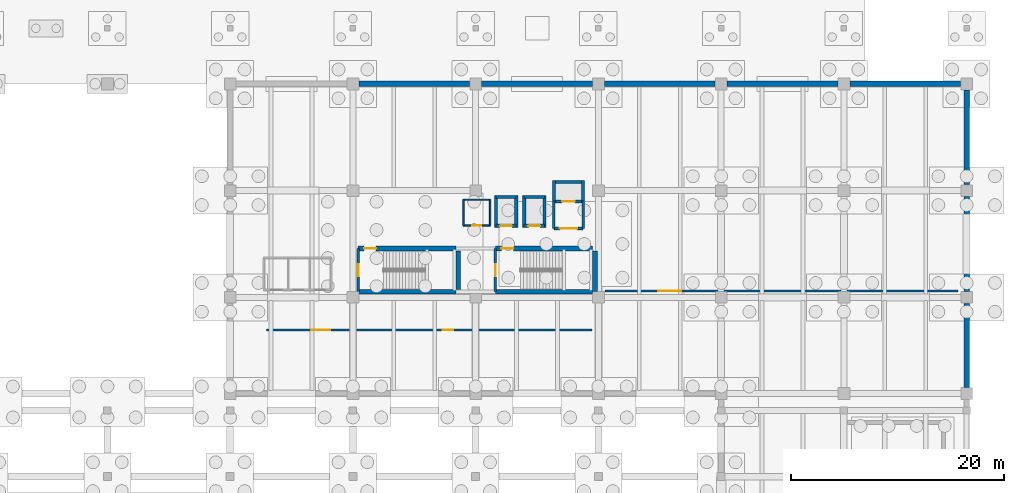
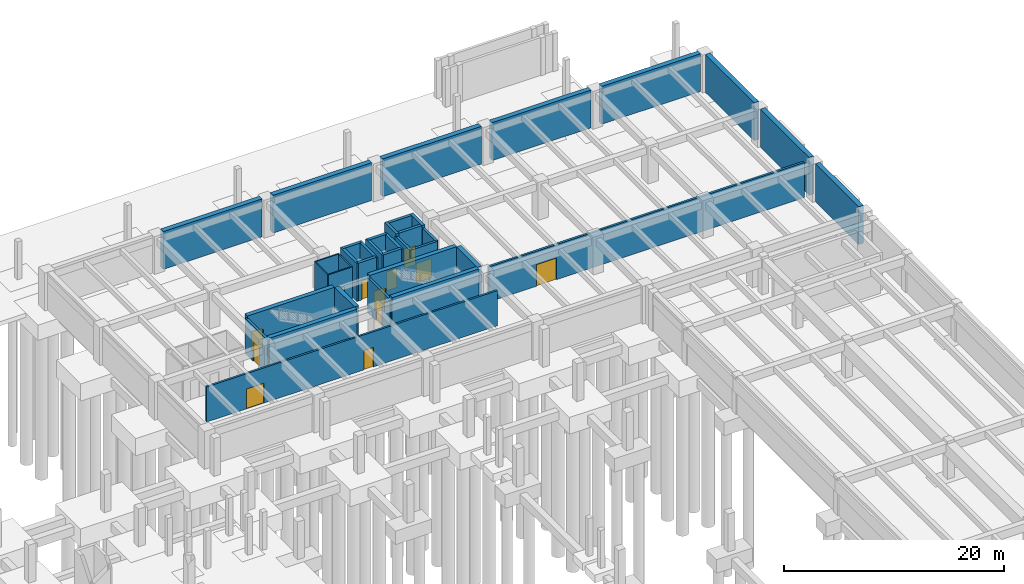
# One storey, part 23 of 28: 37 walls, 12 doors, 12 openings.
"""IFC4 building model written with IfcOpenShell, lengths in metres."""

import ifcopenshell
import ifcopenshell.guid

model = None  # the IFC model being written
_history = None  # IfcOwnerHistory: only IFC2X3 demands one
_inside = {}  # id of a spatial element -> (the spatial element, [elements in it])
_under = {}  # id of a project, library or spatial element -> (it, [spatial elements below it])
_declared = {}  # id of a project -> (the project, [libraries it declares])
_typed = {}  # id of a type object -> (the type object, [elements of that type])
_made_of = {}  # id of a material, layer set ... -> (it, [elements and type objects made of it])


def new_model(schema):
    """Start an empty IFC model of exactly this schema.

    Asked for "IFC4X3", IfcOpenShell would pick the latest addendum, in which some entities
    have other attributes; the version numbers below select the first issue.
    IFC2X3 requires an IfcOwnerHistory on every rooted entity: one is made here for all.
    """
    global model, _history
    if schema == "IFC4X3":
        model = ifcopenshell.file(schema_version=(4, 3, 0, 0))
    else:
        model = ifcopenshell.file(schema=schema)
    _inside.clear()
    _under.clear()
    _declared.clear()
    _typed.clear()
    _made_of.clear()
    _history = None
    if model.schema == "IFC2X3":
        org = make("IfcOrganization", Name="unknown")
        user = make(
            "IfcPersonAndOrganization",
            ThePerson=make("IfcPerson", FamilyName="unknown"),
            TheOrganization=org,
        )
        app = make(
            "IfcApplication",
            ApplicationDeveloper=org,
            Version="unknown",
            ApplicationFullName="unknown",
            ApplicationIdentifier="unknown",
        )
        _history = make(
            "IfcOwnerHistory",
            OwningUser=user,
            OwningApplication=app,
            ChangeAction="ADDED",
            CreationDate=0,
        )
    return model


def make(cls, **values):
    """One entity of the class cls with the attributes given. An attribute that is None is left unset."""
    return model.create_entity(
        cls, **{name: value for name, value in values.items() if value is not None}
    )


def rooted(cls, **values):
    """An entity with a GlobalId (a new one), such as an element, a storey or a relation."""
    return make(cls, GlobalId=ifcopenshell.guid.new(), OwnerHistory=_history, **values)


def si_unit(unit_type, name, prefix=None):
    """IfcSIUnit, for example si_unit("LENGTHUNIT", "METRE", prefix="MILLI")."""
    return make("IfcSIUnit", UnitType=unit_type, Prefix=prefix, Name=name)


def assignment(units):
    """IfcUnitAssignment: the units of a project."""
    return None if units is None else make("IfcUnitAssignment", Units=units)


def point(xyz):
    """IfcCartesianPoint."""
    return None if xyz is None else make("IfcCartesianPoint", Coordinates=xyz)


def direction(xyz):
    """IfcDirection."""
    return None if xyz is None else make("IfcDirection", DirectionRatios=xyz)


def frame(location, z_axis=None, x_axis=None):
    """IfcAxis2Placement3D, a coordinate frame: its origin and axes. An axis left out is left unset."""
    return make(
        "IfcAxis2Placement3D",
        Location=point(location),
        Axis=direction(z_axis),
        RefDirection=direction(x_axis),
    )


def frame_2d(location, x_axis=None):
    """IfcAxis2Placement2D, a coordinate frame in the plane: its origin and x axis."""
    return make(
        "IfcAxis2Placement2D", Location=point(location), RefDirection=direction(x_axis)
    )


def origin():
    """The frame at (0, 0, 0) with its axes left unset."""
    return frame((0.0, 0.0, 0.0))


def place(relative_to, where):
    """IfcLocalPlacement: puts the frame where relative to a parent placement (None: the world)."""
    return make(
        "IfcLocalPlacement", PlacementRelTo=relative_to, RelativePlacement=where
    )


def context(
    kind, dimensions, precision=None, world=None, true_north=None, identifier=None
):
    """IfcGeometricRepresentationContext, for example the 3D "Model" context."""
    return make(
        "IfcGeometricRepresentationContext",
        ContextIdentifier=identifier,
        ContextType=kind,
        CoordinateSpaceDimension=dimensions,
        Precision=precision,
        WorldCoordinateSystem=world,
        TrueNorth=true_north,
    )


def subcontext(parent, identifier, kind, view, scale=None):
    """IfcGeometricRepresentationSubContext, for example "Body" below "Model"."""
    return make(
        "IfcGeometricRepresentationSubContext",
        ContextIdentifier=identifier,
        ContextType=kind,
        ParentContext=parent,
        TargetScale=scale,
        TargetView=view,
    )


def project(units=None, contexts=None):
    """IfcProject with its units and contexts."""
    return rooted(
        "IfcProject",
        Name="project",
        RepresentationContexts=contexts,
        UnitsInContext=assignment(units),
    )


def spatial(cls, under=None, at=None, **own):
    """A site, building, storey or space (cls), placed at a placement, below another one or the project."""
    s = rooted(cls, ObjectPlacement=at, **own)
    if under is not None:
        _under.setdefault(under.id(), (under, []))[1].append(s)
    return s


def profile(cls, at=None, kind="AREA", **sizes):
    """A parametric profile (cls). Its sizes go by their IFC names, for example OverallWidth=200.0."""
    return make(cls, ProfileType=kind, Position=at, **sizes)


def rectangle(**sizes):
    """IfcRectangleProfileDef."""
    return profile("IfcRectangleProfileDef", **sizes)


def extrude(swept, where, along, depth):
    """IfcExtrudedAreaSolid: the profile swept, set in the frame where, extruded along a direction by depth."""
    return make(
        "IfcExtrudedAreaSolid",
        SweptArea=swept,
        Position=where,
        ExtrudedDirection=direction(along),
        Depth=depth,
    )


def shape(context_of_items, identifier, shape_type, items):
    """IfcShapeRepresentation: the items that make up one representation, for example the "Body"."""
    return make(
        "IfcShapeRepresentation",
        ContextOfItems=context_of_items,
        RepresentationIdentifier=identifier,
        RepresentationType=shape_type,
        Items=items,
    )


def material(Name=None, Category=None):
    """IfcMaterial."""
    return make("IfcMaterial", Name=Name, Category=Category)


def layer(
    of_material, thickness, ventilated=None, Name=None, Category=None, Priority=None
):
    """IfcMaterialLayer: one layer of a wall or slab, of a material (None: an air gap)."""
    return make(
        "IfcMaterialLayer",
        Material=of_material,
        LayerThickness=thickness,
        IsVentilated=ventilated,
        Name=Name,
        Category=Category,
        Priority=Priority,
    )


def layer_set(layers, Name=None):
    """IfcMaterialLayerSet."""
    return make("IfcMaterialLayerSet", MaterialLayers=layers, LayerSetName=Name)


def made_of(thing, what):
    """Note that an element or type object is made of a material, layer set ...; save() writes the relation."""
    if what is not None:
        _made_of.setdefault(what.id(), (what, []))[1].append(thing)
    return thing


def type_object(cls, material=None, **own):
    """A type object (cls), such as IfcWallType, which elements share."""
    return made_of(rooted(cls, **own), material)


def element(
    cls,
    number,
    at=None,
    inside=None,
    cuts=None,
    type_object=None,
    material=None,
    context=None,
    identifier="Body",
    shape_type=None,
    held_by="IfcProductDefinitionShape",
    body=None,
    shapes=None,
    **own,
):
    """One element of the class cls, such as IfcWall. Its Tag is "e" and its number.

    at: its placement. inside: the storey or other place that contains it. cuts: it is an
    opening in that element (IfcRelVoidsElement). A single representation is given by context,
    identifier, shape_type and body (its items); several are given by shapes. held_by: the class
    of the entity that holds the representations. save() writes the other relations.
    """
    e = rooted(cls, Tag="e%d" % number, ObjectPlacement=at, **own)
    if body is not None:
        shapes = [shape(context, identifier, shape_type, body)]
    if shapes is not None:
        e.Representation = make(held_by, Representations=shapes)
    if inside is not None:
        _inside.setdefault(inside.id(), (inside, []))[1].append(e)
    if cuts is not None:
        rooted(
            "IfcRelVoidsElement", RelatingBuildingElement=cuts, RelatedOpeningElement=e
        )
    if type_object is not None:
        _typed.setdefault(type_object.id(), (type_object, []))[1].append(e)
    return made_of(e, material)


def fill(opening, filler):
    """IfcRelFillsElement: the door or window that sits in an opening."""
    return rooted(
        "IfcRelFillsElement",
        RelatingOpeningElement=opening,
        RelatedBuildingElement=filler,
    )


def aggregate(whole, parts):
    """IfcRelAggregates: a whole, such as a stair, and the parts it consists of."""
    return rooted("IfcRelAggregates", RelatingObject=whole, RelatedObjects=parts)


def save(model, path):
    """Write the relations noted so far, then the file.

    IfcRelAggregates (storeys below a building ...), IfcRelContainedInSpatialStructure (elements
    in a storey), IfcRelDefinesByType, IfcRelAssociatesMaterial and IfcRelDeclares: one each for
    every whole, place, type object, material and project.
    """
    for whole, parts in _under.values():
        aggregate(whole, parts)
    for where, things in _inside.values():
        rooted(
            "IfcRelContainedInSpatialStructure",
            RelatedElements=things,
            RelatingStructure=where,
        )
    for kind, things in _typed.values():
        rooted("IfcRelDefinesByType", RelatedObjects=things, RelatingType=kind)
    for what, things in _made_of.values():
        rooted("IfcRelAssociatesMaterial", RelatedObjects=things, RelatingMaterial=what)
    for by, libraries in _declared.values():
        rooted("IfcRelDeclares", RelatingContext=by, RelatedDefinitions=libraries)
    model.write(path)


model = new_model("IFC4")

# Units and contexts
model_context = context("Model", 3, precision=1e-05, world=origin(), true_north=direction((0.0, 1.0)))
body_context = subcontext(model_context, "Body", "Model", "MODEL_VIEW")
ifc_project = project(units=[si_unit("LENGTHUNIT", "METRE"), si_unit("AREAUNIT", "SQUARE_METRE"), si_unit("VOLUMEUNIT", "CUBIC_METRE"), si_unit("PLANEANGLEUNIT", "RADIAN"), si_unit("MASSUNIT", "GRAM", prefix="KILO")], contexts=[model_context])

# Site, building, storey
site_placement = place(None, origin())
site = spatial("IfcSite", under=ifc_project, at=site_placement, CompositionType="ELEMENT")
building_placement = place(site_placement, origin())
building = spatial("IfcBuilding", under=site, at=building_placement, Name="Ologun Quay Terminus", CompositionType="ELEMENT")
storey_placement = place(building_placement, frame((0.0, 0.0, -8.39990234375)))
storey = spatial("IfcBuildingStorey", under=building, at=storey_placement, Name="B02", CompositionType="ELEMENT", Elevation=-8.39990234375)

# Walls
ifc_material_1 = material(Name="Concrete C35/45", Category="concrete")
ifc_layer_1 = layer(ifc_material_1, 0.5)
ifc_layer_set_1 = layer_set([ifc_layer_1], Name="Concrete C35/45")
wall_type_1 = type_object("IfcWallType", Name="Basement Perimeter Retaining Wall 500", PredefinedType="SHEAR", material=ifc_layer_set_1)
wall_1_placement = place(storey_placement, frame((184.0, 86.3701171875, 0.0), z_axis=(0.0, 0.0, 1.0), x_axis=(0.0, 1.0, 0.0)))
element("IfcWall", 1, at=wall_1_placement, inside=storey, type_object=wall_type_1, Name="Retaining Wall EG-Y6 B02", PredefinedType="SHEAR", context=body_context, shape_type="SweptSolid", body=[
    extrude(rectangle(XDim=7.85986328125, YDim=0.5, at=frame_2d((3.929931640625, 0.0))), origin(), (0.0, 0.0, 1.0), 4.199951171875),
])
for number, where, z_axis, x_axis, name in (
    (2, (184.0, 95.3701171875, 0.0), (0.0, 0.0, 1.0), (0.0, 1.0, 0.0), "Retaining Wall EG-Y7 B02"),
    (3, (184.0, 105.3701171875, 0.0), (0.0, 0.0, 1.0), (0.0, 1.0, 0.0), "Retaining Wall EG-Y8 B02"),
):
    element("IfcWall", number, at=place(storey_placement, frame(where, z_axis=z_axis, x_axis=x_axis)), inside=storey, type_object=wall_type_1, Name=name, PredefinedType="SHEAR", context=body_context, shape_type="SweptSolid", body=[
        extrude(rectangle(XDim=8.85986328125, YDim=0.5, at=frame_2d((4.429931640625, 0.0))), origin(), (0.0, 0.0, 1.0), 4.199951171875),
    ])
for number, where, z_axis, x_axis, name in (
    (4, (127.070068359375, 114.800048828125, 0.0), (0.0, 0.0, 1.0), (1.0, 0.0, 0.0), "Retaining Wall NE-12 B02"),
    (5, (138.570068359375, 114.800048828125, 0.0), (0.0, 0.0, 1.0), (1.0, 0.0, 0.0), "Retaining Wall NE-13 B02"),
    (6, (150.070068359375, 114.800048828125, 0.0), (0.0, 0.0, 1.0), (1.0, 0.0, 0.0), "Retaining Wall NE-14 B02"),
    (7, (161.570068359375, 114.800048828125, 0.0), (0.0, 0.0, 1.0), (1.0, 0.0, 0.0), "Retaining Wall NE-15 B02"),
    (8, (173.070068359375, 114.800048828125, 0.0), (0.0, 0.0, 1.0), (1.0, 0.0, 0.0), "Retaining Wall NE-16 B02"),
):
    element("IfcWall", number, at=place(storey_placement, frame(where, z_axis=z_axis, x_axis=x_axis)), inside=storey, type_object=wall_type_1, Name=name, PredefinedType="SHEAR", context=body_context, shape_type="SweptSolid", body=[
        extrude(rectangle(XDim=10.35986328125, YDim=0.5, at=frame_2d((5.179931640625, 0.0))), origin(), (0.0, 0.0, 1.0), 4.199951171875),
    ])

# Wall, openings, doors
ifc_material_2 = material(Name="Concrete C40/50", Category="concrete")
ifc_layer_2 = layer(ifc_material_2, 0.199951171875)
ifc_layer_set_2 = layer_set([ifc_layer_2], Name="Concrete C40/50")
wall_type_2 = type_object("IfcWallType", Name="Corridor Fire-Rated Partition 200", PredefinedType="PARTITIONING", material=ifc_layer_set_2)
wall_2_placement = place(storey_placement, frame((118.39990234375, 91.75, 0.0), z_axis=(0.0, 0.0, 1.0), x_axis=(1.0, 0.0, 0.0)))
wall_2 = element("IfcWall", 9, at=wall_2_placement, inside=storey, type_object=wall_type_2, Name="PW-02 Partition ECor-S", PredefinedType="PARTITIONING", context=body_context, shape_type="SweptSolid", body=[
    extrude(rectangle(XDim=30.5, YDim=0.199951171875, at=frame_2d((15.25, 0.0))), origin(), (0.0, 0.0, 1.0), 3.89990234375),
])
opening_1_placement = place(wall_2_placement, frame((4.199951171875, 0.0, 0.0)))
opening_1 = element("IfcOpeningElement", 10, at=opening_1_placement, cuts=wall_2, Name="Opening ID-152", PredefinedType="OPENING", context=body_context, shape_type="SweptSolid", body=[
    extrude(rectangle(XDim=1.800048828125, YDim=2.199951171875, at=frame_2d((0.89990234375, 1.10009765625))), frame((0.0, 0.10986328125, 0.0), z_axis=(0.0, -1.0, 0.0), x_axis=(1.0, 0.0, 0.0)), (0.0, 0.0, 1.0), 0.219970703125),
])
opening_2_placement = place(wall_2_placement, frame((16.5, 0.0, 0.0)))
opening_2 = element("IfcOpeningElement", 11, at=opening_2_placement, cuts=wall_2, Name="Opening ID-153", PredefinedType="OPENING", context=body_context, shape_type="SweptSolid", body=[
    extrude(rectangle(XDim=0.97998046875, YDim=2.14990234375, at=frame_2d((0.489990234375, 1.074951171875))), frame((0.0, 0.10986328125, 0.0), z_axis=(0.0, -1.0, 0.0), x_axis=(1.0, 0.0, 0.0)), (0.0, 0.0, 1.0), 0.219970703125),
])
ifc_material_3 = material(Name="Steel S355", Category="steel")
door_type_1 = type_object("IfcDoorType", Name="Corridor Compartment Pair 1800x2200", OperationType="DOUBLE_DOOR_SINGLE_SWING", PredefinedType="DOOR", material=ifc_material_3)
door_1_placement = place(opening_1_placement, origin())
door_1 = element("IfcDoor", 12, at=door_1_placement, inside=storey, type_object=door_type_1, Name="FD-03 Door ID-152", OperationType="DOUBLE_DOOR_SINGLE_SWING", OverallHeight=2.199951171875, OverallWidth=1.800048828125, PredefinedType="DOOR", context=body_context, shape_type="SweptSolid", body=[
    extrude(rectangle(XDim=1.800048828125, YDim=2.199951171875, at=frame_2d((0.89990234375, 1.10009765625))), frame((0.0, 0.02490234375, 0.0), z_axis=(0.0, -1.0, 0.0), x_axis=(1.0, 0.0, 0.0)), (0.0, 0.0, 1.0), 0.050048828125),
])
fill(opening_1, door_1)
ifc_material_4 = material(Name="Timber Hardwood", Category="wood")
door_type_2 = type_object("IfcDoorType", Name="Operations Room Acoustic Leaf 980x2150", OperationType="SINGLE_SWING_LEFT", PredefinedType="DOOR", material=ifc_material_4)
door_2_placement = place(opening_2_placement, origin())
door_2 = element("IfcDoor", 13, at=door_2_placement, inside=storey, type_object=door_type_2, Name="ID-01 Door ID-153", OperationType="SINGLE_SWING_LEFT", OverallHeight=2.14990234375, OverallWidth=0.97998046875, PredefinedType="DOOR", context=body_context, shape_type="SweptSolid", body=[
    extrude(rectangle(XDim=0.97998046875, YDim=2.14990234375, at=frame_2d((0.489990234375, 1.074951171875))), frame((0.0, 0.02490234375, 0.0), z_axis=(0.0, -1.0, 0.0), x_axis=(1.0, 0.0, 0.0)), (0.0, 0.0, 1.0), 0.050048828125),
])
fill(opening_2, door_2)

# Wall
ifc_material_5 = material(Name="Concrete C45/55", Category="concrete")
ifc_layer_3 = layer(ifc_material_5, 0.449951171875)
ifc_layer_set_3 = layer_set([ifc_layer_3], Name="Concrete C45/55")
wall_type_3 = type_object("IfcWallType", Name="Coupled Wing Primary Core Shear Wall 450", PredefinedType="SHEAR", material=ifc_layer_set_3)
wall_3_placement = place(storey_placement, frame((127.0, 95.324951171875, 0.0), z_axis=(0.0, 0.0, 1.0), x_axis=(1.0, 0.0, 0.0)))
element("IfcWall", 14, at=wall_3_placement, inside=storey, type_object=wall_type_3, Name="EC1 Core South Shear Wall B02", PredefinedType="SHEAR", context=body_context, shape_type="SweptSolid", body=[
    extrude(rectangle(XDim=9.14990234375, YDim=0.449951171875, at=frame_2d((4.574951171875, 0.0))), origin(), (0.0, 0.0, 1.0), 4.199951171875),
])

# Wall, opening, door
wall_4_placement = place(storey_placement, frame((127.0, 99.375, 0.0), z_axis=(0.0, 0.0, 1.0), x_axis=(1.0, 0.0, 0.0)))
wall_4 = element("IfcWall", 15, at=wall_4_placement, inside=storey, type_object=wall_type_3, Name="EC1 Core North Shear Wall B02", PredefinedType="SHEAR", context=body_context, shape_type="SweptSolid", body=[
    extrude(rectangle(XDim=9.14990234375, YDim=0.449951171875, at=frame_2d((4.574951171875, 0.0))), origin(), (0.0, 0.0, 1.0), 4.199951171875),
])
opening_3_placement = place(wall_4_placement, frame((0.550048828125, 0.0, 0.0)))
opening_3 = element("IfcOpeningElement", 16, at=opening_3_placement, cuts=wall_4, Name="Opening ID-144", PredefinedType="OPENING", context=body_context, shape_type="SweptSolid", body=[
    extrude(rectangle(XDim=1.1298828125, YDim=2.14990234375, at=frame_2d((0.56494140625, 1.074951171875))), frame((0.0, 0.23486328125, 0.0), z_axis=(0.0, -1.0, 0.0), x_axis=(1.0, 0.0, 0.0)), (0.0, 0.0, 1.0), 0.469970703125),
])
ifc_material_6 = material(Name="Steel S355", Category="steel")
door_type_3 = type_object("IfcDoorType", Name="Stairwell Fire Escape Door 1130x2150", OperationType="SINGLE_SWING_LEFT", PredefinedType="DOOR", material=ifc_material_6)
door_3_placement = place(opening_3_placement, frame((0.56494140625, 0.0, 0.0), z_axis=(0.0, 0.0, 1.0), x_axis=(-1.0, 0.0, 0.0)))
door_3 = element("IfcDoor", 17, at=door_3_placement, inside=storey, type_object=door_type_3, Name="FD-01 Door ID-144", OperationType="SINGLE_SWING_LEFT", OverallHeight=2.14990234375, OverallWidth=1.1298828125, PredefinedType="DOOR", context=body_context, shape_type="SweptSolid", body=[
    extrude(rectangle(XDim=1.1298828125, YDim=2.14990234375, at=frame_2d((0.0, 1.074951171875))), frame((0.0, 0.02490234375, 0.0), z_axis=(0.0, -1.0, 0.0), x_axis=(1.0, 0.0, 0.0)), (0.0, 0.0, 1.0), 0.050048828125),
])
fill(opening_3, door_3)

# Walls
wall_5_placement = place(storey_placement, frame((136.375, 95.550048828125, 0.0), z_axis=(0.0, 0.0, 1.0), x_axis=(0.0, 1.0, 0.0)))
element("IfcWall", 18, at=wall_5_placement, inside=storey, type_object=wall_type_3, Name="EC1 Core East Shear Wall B02", PredefinedType="SHEAR", context=body_context, shape_type="SweptSolid", body=[
    extrude(rectangle(XDim=3.599853515625, YDim=0.449951171875, at=frame_2d((1.7998046875, 0.0))), origin(), (0.0, 0.0, 1.0), 4.199951171875),
])
wall_6_placement = place(storey_placement, frame((139.85009765625, 95.324951171875, 0.0), z_axis=(0.0, 0.0, 1.0), x_axis=(1.0, 0.0, 0.0)))
element("IfcWall", 19, at=wall_6_placement, inside=storey, type_object=wall_type_3, Name="EC2 Core South Shear Wall B02", PredefinedType="SHEAR", context=body_context, shape_type="SweptSolid", body=[
    extrude(rectangle(XDim=9.099853515625, YDim=0.449951171875, at=frame_2d((4.5498046875, 0.0))), origin(), (0.0, 0.0, 1.0), 4.199951171875),
])

# Wall, opening, door
wall_7_placement = place(storey_placement, frame((139.85009765625, 99.375, 0.0), z_axis=(0.0, 0.0, 1.0), x_axis=(1.0, 0.0, 0.0)))
wall_7 = element("IfcWall", 20, at=wall_7_placement, inside=storey, type_object=wall_type_3, Name="EC2 Core North Shear Wall B02", PredefinedType="SHEAR", context=body_context, shape_type="SweptSolid", body=[
    extrude(rectangle(XDim=9.099853515625, YDim=0.449951171875, at=frame_2d((4.5498046875, 0.0))), origin(), (0.0, 0.0, 1.0), 4.199951171875),
])
opening_4_placement = place(wall_7_placement, frame((0.550048828125, 0.0, 0.0)))
opening_4 = element("IfcOpeningElement", 21, at=opening_4_placement, cuts=wall_7, Name="Opening ID-146", PredefinedType="OPENING", context=body_context, shape_type="SweptSolid", body=[
    extrude(rectangle(XDim=1.1298828125, YDim=2.14990234375, at=frame_2d((0.56494140625, 1.074951171875))), frame((0.0, 0.23486328125, 0.0), z_axis=(0.0, -1.0, 0.0), x_axis=(1.0, 0.0, 0.0)), (0.0, 0.0, 1.0), 0.469970703125),
])
door_4_placement = place(opening_4_placement, frame((0.56494140625, 0.0, 0.0), z_axis=(0.0, 0.0, 1.0), x_axis=(-1.0, 0.0, 0.0)))
door_4 = element("IfcDoor", 22, at=door_4_placement, inside=storey, type_object=door_type_3, Name="FD-01 Door ID-146", OperationType="SINGLE_SWING_LEFT", OverallHeight=2.14990234375, OverallWidth=1.1298828125, PredefinedType="DOOR", context=body_context, shape_type="SweptSolid", body=[
    extrude(rectangle(XDim=1.1298828125, YDim=2.14990234375, at=frame_2d((0.0, 1.074951171875))), frame((0.0, 0.02490234375, 0.0), z_axis=(0.0, -1.0, 0.0), x_axis=(1.0, 0.0, 0.0)), (0.0, 0.0, 1.0), 0.050048828125),
])
fill(opening_4, door_4)

# Wall
wall_8_placement = place(storey_placement, frame((149.175048828125, 95.3701171875, 0.0), z_axis=(0.0, 0.0, 1.0), x_axis=(0.0, 1.0, 0.0)))
element("IfcWall", 23, at=wall_8_placement, inside=storey, type_object=wall_type_3, Name="EC2 Core East Shear Wall B02", PredefinedType="SHEAR", context=body_context, shape_type="SweptSolid", body=[
    extrude(rectangle(XDim=3.77978515625, YDim=0.449951171875, at=frame_2d((1.889892578125, 0.0))), origin(), (0.0, 0.0, 1.0), 4.199951171875),
])

# Wall, opening, door
ifc_material_7 = material(Name="Concrete C40/50", Category="concrete")
ifc_layer_4 = layer(ifc_material_7, 0.239990234375)
ifc_layer_set_4 = layer_set([ifc_layer_4], Name="Concrete C40/50")
wall_type_4 = type_object("IfcWallType", Name="Fire Compartment Blockwork Wall 240", PredefinedType="SOLIDWALL", material=ifc_layer_set_4)
wall_9_placement = place(storey_placement, frame((127.0, 95.330078125, 0.0), z_axis=(0.0, 0.0, 1.0), x_axis=(0.0, 1.0, 0.0)))
wall_9 = element("IfcWall", 24, at=wall_9_placement, inside=storey, type_object=wall_type_4, Name="PW-01 Partition EStair1-W", PredefinedType="SOLIDWALL", context=body_context, shape_type="SweptSolid", body=[
    extrude(rectangle(XDim=4.0400390625, YDim=0.239990234375, at=frame_2d((2.02001953125, 0.0))), origin(), (0.0, 0.0, 1.0), 3.89990234375),
])
opening_5_placement = place(wall_9_placement, frame((1.449951171875, 0.0, 0.0)))
opening_5 = element("IfcOpeningElement", 25, at=opening_5_placement, cuts=wall_9, Name="Opening ID-143", PredefinedType="OPENING", context=body_context, shape_type="SweptSolid", body=[
    extrude(rectangle(XDim=1.1298828125, YDim=2.14990234375, at=frame_2d((0.56494140625, 1.074951171875))), frame((0.0, 0.1298828125, 0.0), z_axis=(0.0, -1.0, 0.0), x_axis=(1.0, 0.0, 0.0)), (0.0, 0.0, 1.0), 0.260009765625),
])
door_5_placement = place(opening_5_placement, frame((0.56494140625, 0.0, 0.0), z_axis=(0.0, 0.0, 1.0), x_axis=(-1.0, 0.0, 0.0)))
door_5 = element("IfcDoor", 26, at=door_5_placement, inside=storey, type_object=door_type_3, Name="FD-01 Door ID-143", OperationType="SINGLE_SWING_LEFT", OverallHeight=2.14990234375, OverallWidth=1.1298828125, PredefinedType="DOOR", context=body_context, shape_type="SweptSolid", body=[
    extrude(rectangle(XDim=1.1298828125, YDim=2.14990234375, at=frame_2d((0.0, 1.074951171875))), frame((0.0, 0.02490234375, 0.0), z_axis=(0.0, -1.0, 0.0), x_axis=(1.0, 0.0, 0.0)), (0.0, 0.0, 1.0), 0.050048828125),
])
fill(opening_5, door_5)

wall_10_placement = place(storey_placement, frame((139.85009765625, 95.330078125, 0.0), z_axis=(0.0, 0.0, 1.0), x_axis=(0.0, 1.0, 0.0)))
wall_10 = element("IfcWall", 27, at=wall_10_placement, inside=storey, type_object=wall_type_4, Name="PW-01 Partition EStair2-W", PredefinedType="SOLIDWALL", context=body_context, shape_type="SweptSolid", body=[
    extrude(rectangle(XDim=4.0400390625, YDim=0.239990234375, at=frame_2d((2.02001953125, 0.0))), origin(), (0.0, 0.0, 1.0), 3.89990234375),
])
opening_6_placement = place(wall_10_placement, frame((1.449951171875, 0.0, 0.0)))
opening_6 = element("IfcOpeningElement", 28, at=opening_6_placement, cuts=wall_10, Name="Opening ID-145", PredefinedType="OPENING", context=body_context, shape_type="SweptSolid", body=[
    extrude(rectangle(XDim=1.1298828125, YDim=2.14990234375, at=frame_2d((0.56494140625, 1.074951171875))), frame((0.0, 0.1298828125, 0.0), z_axis=(0.0, -1.0, 0.0), x_axis=(1.0, 0.0, 0.0)), (0.0, 0.0, 1.0), 0.260009765625),
])
door_6_placement = place(opening_6_placement, frame((0.56494140625, 0.0, 0.0), z_axis=(0.0, 0.0, 1.0), x_axis=(-1.0, 0.0, 0.0)))
door_6 = element("IfcDoor", 29, at=door_6_placement, inside=storey, type_object=door_type_3, Name="FD-01 Door ID-145", OperationType="SINGLE_SWING_LEFT", OverallHeight=2.14990234375, OverallWidth=1.1298828125, PredefinedType="DOOR", context=body_context, shape_type="SweptSolid", body=[
    extrude(rectangle(XDim=1.1298828125, YDim=2.14990234375, at=frame_2d((0.0, 1.074951171875))), frame((0.0, 0.02490234375, 0.0), z_axis=(0.0, -1.0, 0.0), x_axis=(1.0, 0.0, 0.0)), (0.0, 0.0, 1.0), 0.050048828125),
])
fill(opening_6, door_6)

wall_11_placement = place(storey_placement, frame((145.320068359375, 101.25, 0.0), z_axis=(0.0, 0.0, 1.0), x_axis=(1.0, 0.0, 0.0)))
wall_11 = element("IfcWall", 30, at=wall_11_placement, inside=storey, type_object=wall_type_4, Name="PW-01 Partition EFFL-S", PredefinedType="SOLIDWALL", context=body_context, shape_type="SweptSolid", body=[
    extrude(rectangle(XDim=2.760009765625, YDim=0.239990234375, at=frame_2d((1.3798828125, 0.0))), origin(), (0.0, 0.0, 1.0), 3.89990234375),
])
opening_7_placement = place(wall_11_placement, frame((0.580078125, 0.0, 0.0)))
opening_7 = element("IfcOpeningElement", 31, at=opening_7_placement, cuts=wall_11, Name="Opening ID-147", PredefinedType="OPENING", context=body_context, shape_type="SweptSolid", body=[
    extrude(rectangle(XDim=1.60009765625, YDim=2.14990234375, at=frame_2d((0.800048828125, 1.074951171875))), frame((0.0, 0.1298828125, 0.0), z_axis=(0.0, -1.0, 0.0), x_axis=(1.0, 0.0, 0.0)), (0.0, 0.0, 1.0), 0.260009765625),
])
ifc_material_8 = material(Name="Steel S355", Category="steel")
door_type_4 = type_object("IfcDoorType", Name="Firefighting Lobby Double Smoke Door 1600x2150", OperationType="DOUBLE_DOOR_SINGLE_SWING", PredefinedType="DOOR", material=ifc_material_8)
door_7_placement = place(opening_7_placement, origin())
door_7 = element("IfcDoor", 32, at=door_7_placement, inside=storey, type_object=door_type_4, Name="FD-02 Door ID-147", OperationType="DOUBLE_DOOR_SINGLE_SWING", OverallHeight=2.14990234375, OverallWidth=1.60009765625, PredefinedType="DOOR", context=body_context, shape_type="SweptSolid", body=[
    extrude(rectangle(XDim=1.60009765625, YDim=2.14990234375, at=frame_2d((0.800048828125, 1.074951171875))), frame((0.0, 0.02490234375, 0.0), z_axis=(0.0, -1.0, 0.0), x_axis=(1.0, 0.0, 0.0)), (0.0, 0.0, 1.0), 0.050048828125),
])
fill(opening_7, door_7)

# Walls
for number, where, z_axis, x_axis, name in (
    (33, (145.320068359375, 101.25, 0.0), (0.0, 0.0, 1.0), (0.0, 1.0, 0.0), "PW-01 Partition EFFL-W"),
    (34, (148.080078125, 101.25, 0.0), (0.0, 0.0, 1.0), (0.0, 1.0, 0.0), "PW-01 Partition EFFL-E"),
):
    element("IfcWall", number, at=place(storey_placement, frame(where, z_axis=z_axis, x_axis=x_axis)), inside=storey, type_object=wall_type_4, Name=name, PredefinedType="SOLIDWALL", context=body_context, shape_type="SweptSolid", body=[
        extrude(rectangle(XDim=2.60009765625, YDim=0.239990234375, at=frame_2d((1.300048828125, 0.0))), origin(), (0.0, 0.0, 1.0), 3.89990234375),
    ])

# Wall, opening, door
ifc_material_9 = material(Name="Concrete C40/50", Category="concrete")
ifc_layer_5 = layer(ifc_material_9, 0.300048828125)
ifc_layer_set_5 = layer_set([ifc_layer_5], Name="Concrete C40/50")
wall_type_5 = type_object("IfcWallType", Name="Lift Shaft Structural Shear Wall 300", PredefinedType="SHEAR", material=ifc_layer_set_5)
wall_12_placement = place(storey_placement, frame((145.35009765625, 103.780029296875, 0.0), z_axis=(0.0, 0.0, 1.0), x_axis=(1.0, 0.0, 0.0)))
wall_12 = element("IfcWall", 35, at=wall_12_placement, inside=storey, type_object=wall_type_5, Name="Lift FFL-02 Shaft Wall S B02", PredefinedType="SHEAR", context=body_context, shape_type="SweptSolid", body=[
    extrude(rectangle(XDim=2.699951171875, YDim=0.300048828125, at=frame_2d((1.35009765625, 0.0))), origin(), (0.0, 0.0, 1.0), 4.199951171875),
])
opening_8_placement = place(wall_12_placement, frame((0.75, 0.0, 0.0)))
opening_8 = element("IfcOpeningElement", 36, at=opening_8_placement, cuts=wall_12, Name="Opening ID-008", PredefinedType="OPENING", context=body_context, shape_type="SweptSolid", body=[
    extrude(rectangle(XDim=1.199951171875, YDim=2.14990234375, at=frame_2d((0.60009765625, 1.074951171875))), frame((0.0, 0.16015625, 0.0), z_axis=(0.0, -1.0, 0.0), x_axis=(1.0, 0.0, 0.0)), (0.0, 0.0, 1.0), 0.320068359375),
])
ifc_material_10 = material(Name="Steel S355", Category="steel")
door_type_5 = type_object("IfcDoorType", Name="Firefighting Lift Landing Sliding Door 1200x2150", OperationType="SLIDING_TO_RIGHT", PredefinedType="DOOR", material=ifc_material_10)
door_8_placement = place(opening_8_placement, origin())
door_8 = element("IfcDoor", 37, at=door_8_placement, inside=storey, type_object=door_type_5, Name="LD-02 Door ID-008", OperationType="SLIDING_TO_RIGHT", OverallHeight=2.14990234375, OverallWidth=1.199951171875, PredefinedType="DOOR", context=body_context, shape_type="SweptSolid", body=[
    extrude(rectangle(XDim=1.199951171875, YDim=2.14990234375, at=frame_2d((0.60009765625, 1.074951171875))), frame((0.0, 0.02490234375, 0.0), z_axis=(0.0, -1.0, 0.0), x_axis=(1.0, 0.0, 0.0)), (0.0, 0.0, 1.0), 0.050048828125),
])
fill(opening_8, door_8)

# Walls
wall_13_placement = place(storey_placement, frame((145.35009765625, 105.6201171875, 0.0), z_axis=(0.0, 0.0, 1.0), x_axis=(1.0, 0.0, 0.0)))
element("IfcWall", 38, at=wall_13_placement, inside=storey, type_object=wall_type_5, Name="Lift FFL-02 Shaft Wall N B02", PredefinedType="SHEAR", context=body_context, shape_type="SweptSolid", body=[
    extrude(rectangle(XDim=2.699951171875, YDim=0.300048828125, at=frame_2d((1.35009765625, 0.0))), origin(), (0.0, 0.0, 1.0), 4.199951171875),
])
for number, where, z_axis, x_axis, name in (
    (39, (145.35009765625, 103.6298828125, 0.0), (0.0, 0.0, 1.0), (0.0, 1.0, 0.0), "Lift FFL-02 Shaft Wall W B02"),
    (40, (148.050048828125, 103.6298828125, 0.0), (0.0, 0.0, 1.0), (0.0, 1.0, 0.0), "Lift FFL-02 Shaft Wall E B02"),
):
    element("IfcWall", number, at=place(storey_placement, frame(where, z_axis=z_axis, x_axis=x_axis)), inside=storey, type_object=wall_type_5, Name=name, PredefinedType="SHEAR", context=body_context, shape_type="SweptSolid", body=[
        extrude(rectangle(XDim=2.14013671875, YDim=0.300048828125, at=frame_2d((1.070068359375, 0.0))), origin(), (0.0, 0.0, 1.0), 4.199951171875),
    ])

# Wall, opening, door
wall_14_placement = place(storey_placement, frame((139.89990234375, 101.5, 0.0), z_axis=(0.0, 0.0, 1.0), x_axis=(1.0, 0.0, 0.0)))
wall_14 = element("IfcWall", 41, at=wall_14_placement, inside=storey, type_object=wall_type_5, Name="Lift PL-E1 Shaft Wall S B02", PredefinedType="SHEAR", context=body_context, shape_type="SweptSolid", body=[
    extrude(rectangle(XDim=1.900146484375, YDim=0.300048828125, at=frame_2d((0.9501953125, 0.0))), origin(), (0.0, 0.0, 1.0), 4.199951171875),
])
opening_9_placement = place(wall_14_placement, frame((0.39990234375, 0.0, 0.0)))
opening_9 = element("IfcOpeningElement", 42, at=opening_9_placement, cuts=wall_14, Name="Opening ID-030", PredefinedType="OPENING", context=body_context, shape_type="SweptSolid", body=[
    extrude(rectangle(XDim=1.10009765625, YDim=2.14990234375, at=frame_2d((0.550048828125, 1.074951171875))), frame((0.0, 0.16015625, 0.0), z_axis=(0.0, -1.0, 0.0), x_axis=(1.0, 0.0, 0.0)), (0.0, 0.0, 1.0), 0.320068359375),
])
ifc_material_11 = material(Name="Steel S355", Category="steel")
door_type_6 = type_object("IfcDoorType", Name="Lift Landing Sliding Door 1100x2150", OperationType="SLIDING_TO_LEFT", PredefinedType="DOOR", material=ifc_material_11)
door_9_placement = place(opening_9_placement, origin())
door_9 = element("IfcDoor", 43, at=door_9_placement, inside=storey, type_object=door_type_6, Name="LD-01 Door ID-030", OperationType="SLIDING_TO_LEFT", OverallHeight=2.14990234375, OverallWidth=1.10009765625, PredefinedType="DOOR", context=body_context, shape_type="SweptSolid", body=[
    extrude(rectangle(XDim=1.10009765625, YDim=2.14990234375, at=frame_2d((0.550048828125, 1.074951171875))), frame((0.0, 0.02490234375, 0.0), z_axis=(0.0, -1.0, 0.0), x_axis=(1.0, 0.0, 0.0)), (0.0, 0.0, 1.0), 0.050048828125),
])
fill(opening_9, door_9)

# Walls
wall_15_placement = place(storey_placement, frame((139.89990234375, 104.199951171875, 0.0), z_axis=(0.0, 0.0, 1.0), x_axis=(1.0, 0.0, 0.0)))
element("IfcWall", 44, at=wall_15_placement, inside=storey, type_object=wall_type_5, Name="Lift PL-E1 Shaft Wall N B02", PredefinedType="SHEAR", context=body_context, shape_type="SweptSolid", body=[
    extrude(rectangle(XDim=1.900146484375, YDim=0.300048828125, at=frame_2d((0.9501953125, 0.0))), origin(), (0.0, 0.0, 1.0), 4.199951171875),
])
for number, where, z_axis, x_axis, name in (
    (45, (139.89990234375, 101.35009765625, 0.0), (0.0, 0.0, 1.0), (0.0, 1.0, 0.0), "Lift PL-E1 Shaft Wall W B02"),
    (46, (141.800048828125, 101.35009765625, 0.0), (0.0, 0.0, 1.0), (0.0, 1.0, 0.0), "Lift PL-E1 Shaft Wall E B02"),
):
    element("IfcWall", number, at=place(storey_placement, frame(where, z_axis=z_axis, x_axis=x_axis)), inside=storey, type_object=wall_type_5, Name=name, PredefinedType="SHEAR", context=body_context, shape_type="SweptSolid", body=[
        extrude(rectangle(XDim=3.0, YDim=0.300048828125, at=frame_2d((1.5, 0.0))), origin(), (0.0, 0.0, 1.0), 4.199951171875),
    ])

# Wall, opening, door
wall_16_placement = place(storey_placement, frame((142.550048828125, 101.5, 0.0), z_axis=(0.0, 0.0, 1.0), x_axis=(1.0, 0.0, 0.0)))
wall_16 = element("IfcWall", 47, at=wall_16_placement, inside=storey, type_object=wall_type_5, Name="Lift PL-E2 Shaft Wall S B02", PredefinedType="SHEAR", context=body_context, shape_type="SweptSolid", body=[
    extrude(rectangle(XDim=1.89990234375, YDim=0.300048828125, at=frame_2d((0.949951171875, 0.0))), origin(), (0.0, 0.0, 1.0), 4.199951171875),
])
opening_10_placement = place(wall_16_placement, frame((0.39990234375, 0.0, 0.0)))
opening_10 = element("IfcOpeningElement", 48, at=opening_10_placement, cuts=wall_16, Name="Opening ID-038", PredefinedType="OPENING", context=body_context, shape_type="SweptSolid", body=[
    extrude(rectangle(XDim=1.10009765625, YDim=2.14990234375, at=frame_2d((0.550048828125, 1.074951171875))), frame((0.0, 0.16015625, 0.0), z_axis=(0.0, -1.0, 0.0), x_axis=(1.0, 0.0, 0.0)), (0.0, 0.0, 1.0), 0.320068359375),
])
door_10_placement = place(opening_10_placement, origin())
door_10 = element("IfcDoor", 49, at=door_10_placement, inside=storey, type_object=door_type_6, Name="LD-01 Door ID-038", OperationType="SLIDING_TO_LEFT", OverallHeight=2.14990234375, OverallWidth=1.10009765625, PredefinedType="DOOR", context=body_context, shape_type="SweptSolid", body=[
    extrude(rectangle(XDim=1.10009765625, YDim=2.14990234375, at=frame_2d((0.550048828125, 1.074951171875))), frame((0.0, 0.02490234375, 0.0), z_axis=(0.0, -1.0, 0.0), x_axis=(1.0, 0.0, 0.0)), (0.0, 0.0, 1.0), 0.050048828125),
])
fill(opening_10, door_10)

# Walls
wall_17_placement = place(storey_placement, frame((142.550048828125, 104.199951171875, 0.0), z_axis=(0.0, 0.0, 1.0), x_axis=(1.0, 0.0, 0.0)))
element("IfcWall", 50, at=wall_17_placement, inside=storey, type_object=wall_type_5, Name="Lift PL-E2 Shaft Wall N B02", PredefinedType="SHEAR", context=body_context, shape_type="SweptSolid", body=[
    extrude(rectangle(XDim=1.89990234375, YDim=0.300048828125, at=frame_2d((0.949951171875, 0.0))), origin(), (0.0, 0.0, 1.0), 4.199951171875),
])
for number, where, z_axis, x_axis, name in (
    (51, (142.550048828125, 101.35009765625, 0.0), (0.0, 0.0, 1.0), (0.0, 1.0, 0.0), "Lift PL-E2 Shaft Wall W B02"),
    (52, (144.449951171875, 101.35009765625, 0.0), (0.0, 0.0, 1.0), (0.0, 1.0, 0.0), "Lift PL-E2 Shaft Wall E B02"),
):
    element("IfcWall", number, at=place(storey_placement, frame(where, z_axis=z_axis, x_axis=x_axis)), inside=storey, type_object=wall_type_5, Name=name, PredefinedType="SHEAR", context=body_context, shape_type="SweptSolid", body=[
        extrude(rectangle(XDim=3.0, YDim=0.300048828125, at=frame_2d((1.5, 0.0))), origin(), (0.0, 0.0, 1.0), 4.199951171875),
    ])

# Wall, opening, door
ifc_material_12 = material(Name="Concrete C40/50", Category="concrete")
ifc_layer_6 = layer(ifc_material_12, 0.219970703125)
ifc_layer_set_6 = layer_set([ifc_layer_6], Name="Concrete C40/50")
wall_type_6 = type_object("IfcWallType", Name="Plant & Substation Acoustic Wall 220", PredefinedType="SOLIDWALL", material=ifc_layer_set_6)
wall_18_placement = place(storey_placement, frame((150.10009765625, 95.39990234375, 0.0), z_axis=(0.0, 0.0, 1.0), x_axis=(1.0, 0.0, 0.0)))
wall_18 = element("IfcWall", 53, at=wall_18_placement, inside=storey, type_object=wall_type_6, Name="PW-08 Partition B02-Battery-S", PredefinedType="SOLIDWALL", context=body_context, shape_type="SweptSolid", body=[
    extrude(rectangle(XDim=33.099853515625, YDim=0.219970703125, at=frame_2d((16.5498046875, 0.0))), origin(), (0.0, 0.0, 1.0), 3.89990234375),
])
opening_11_placement = place(wall_18_placement, frame((5.0, 0.0, 0.0)))
opening_11 = element("IfcOpeningElement", 54, at=opening_11_placement, cuts=wall_18, Name="Opening ID-290", PredefinedType="OPENING", context=body_context, shape_type="SweptSolid", body=[
    extrude(rectangle(XDim=2.10009765625, YDim=2.39990234375, at=frame_2d((1.050048828125, 1.199951171875))), frame((0.0, 0.1201171875, 0.0), z_axis=(0.0, -1.0, 0.0), x_axis=(1.0, 0.0, 0.0)), (0.0, 0.0, 1.0), 0.239990234375),
])
ifc_material_13 = material(Name="Steel S355", Category="steel")
door_type_7 = type_object("IfcDoorType", Name="Substation Transformer Bay Door 2100x2400", OperationType="DOUBLE_DOOR_SINGLE_SWING", PredefinedType="DOOR", material=ifc_material_13)
door_11_placement = place(opening_11_placement, origin())
door_11 = element("IfcDoor", 55, at=door_11_placement, inside=storey, type_object=door_type_7, Name="FD-07 Door ID-290", OperationType="DOUBLE_DOOR_SINGLE_SWING", OverallHeight=2.39990234375, OverallWidth=2.10009765625, PredefinedType="DOOR", context=body_context, shape_type="SweptSolid", body=[
    extrude(rectangle(XDim=2.10009765625, YDim=2.39990234375, at=frame_2d((1.050048828125, 1.199951171875))), frame((0.0, 0.02490234375, 0.0), z_axis=(0.0, -1.0, 0.0), x_axis=(1.0, 0.0, 0.0)), (0.0, 0.0, 1.0), 0.050048828125),
])
fill(opening_11, door_11)

ifc_material_14 = material(Name="Concrete C40/50", Category="concrete")
ifc_layer_7 = layer(ifc_material_14, 0.1298828125)
ifc_layer_set_7 = layer_set([ifc_layer_7], Name="Concrete C40/50")
wall_type_7 = type_object("IfcWallType", Name="Riser & Service Duct Wall 130", PredefinedType="PLUMBINGWALL", material=ifc_layer_set_7)
wall_19_placement = place(storey_placement, frame((136.85009765625, 101.550048828125, 0.0), z_axis=(0.0, 0.0, 1.0), x_axis=(1.0, 0.0, 0.0)))
wall_19 = element("IfcWall", 56, at=wall_19_placement, inside=storey, type_object=wall_type_7, Name="PW-07 Partition ERiser-S", PredefinedType="PLUMBINGWALL", context=body_context, shape_type="SweptSolid", body=[
    extrude(rectangle(XDim=2.5, YDim=0.1298828125, at=frame_2d((1.25, 0.0))), origin(), (0.0, 0.0, 1.0), 3.89990234375),
])
opening_12_placement = place(wall_19_placement, frame((0.820068359375, 0.0, 0.0)))
opening_12 = element("IfcOpeningElement", 57, at=opening_12_placement, cuts=wall_19, Name="Opening ID-148", PredefinedType="OPENING", context=body_context, shape_type="SweptSolid", body=[
    extrude(rectangle(XDim=0.85009765625, YDim=2.0, at=frame_2d((0.425048828125, 1.0))), frame((0.0, 0.074951171875, 0.0), z_axis=(0.0, -1.0, 0.0), x_axis=(1.0, 0.0, 0.0)), (0.0, 0.0, 1.0), 0.14990234375),
])
ifc_material_15 = material(Name="Steel S355", Category="steel")
door_type_8 = type_object("IfcDoorType", Name="MEP Riser Access Trapdoor 850x2000", OperationType="SINGLE_SWING_LEFT", PredefinedType="TRAPDOOR", material=ifc_material_15)
door_12_placement = place(opening_12_placement, origin())
door_12 = element("IfcDoor", 58, at=door_12_placement, inside=storey, type_object=door_type_8, Name="RD-01 Door ID-148", OperationType="SINGLE_SWING_LEFT", OverallHeight=2.0, OverallWidth=0.85009765625, PredefinedType="TRAPDOOR", context=body_context, shape_type="SweptSolid", body=[
    extrude(rectangle(XDim=0.85009765625, YDim=2.0, at=frame_2d((0.425048828125, 1.0))), frame((0.0, 0.02490234375, 0.0), z_axis=(0.0, -1.0, 0.0), x_axis=(1.0, 0.0, 0.0)), (0.0, 0.0, 1.0), 0.050048828125),
])
fill(opening_12, door_12)

# Walls
for number, where, z_axis, x_axis, name in (
    (59, (136.85009765625, 101.550048828125, 0.0), (0.0, 0.0, 1.0), (0.0, 1.0, 0.0), "PW-07 Partition ERiser-W"),
    (60, (139.35009765625, 101.550048828125, 0.0), (0.0, 0.0, 1.0), (0.0, 1.0, 0.0), "PW-07 Partition ERiser-E"),
):
    element("IfcWall", number, at=place(storey_placement, frame(where, z_axis=z_axis, x_axis=x_axis)), inside=storey, type_object=wall_type_7, Name=name, PredefinedType="PLUMBINGWALL", context=body_context, shape_type="SweptSolid", body=[
        extrude(rectangle(XDim=2.39990234375, YDim=0.1298828125, at=frame_2d((1.199951171875, 0.0))), origin(), (0.0, 0.0, 1.0), 3.89990234375),
    ])
wall_20_placement = place(storey_placement, frame((136.85009765625, 103.949951171875, 0.0), z_axis=(0.0, 0.0, 1.0), x_axis=(1.0, 0.0, 0.0)))
element("IfcWall", 61, at=wall_20_placement, inside=storey, type_object=wall_type_7, Name="PW-07 Partition ERiser-N", PredefinedType="PLUMBINGWALL", context=body_context, shape_type="SweptSolid", body=[
    extrude(rectangle(XDim=2.5, YDim=0.1298828125, at=frame_2d((1.25, 0.0))), origin(), (0.0, 0.0, 1.0), 3.89990234375),
])

save(model, "model.ifc")
